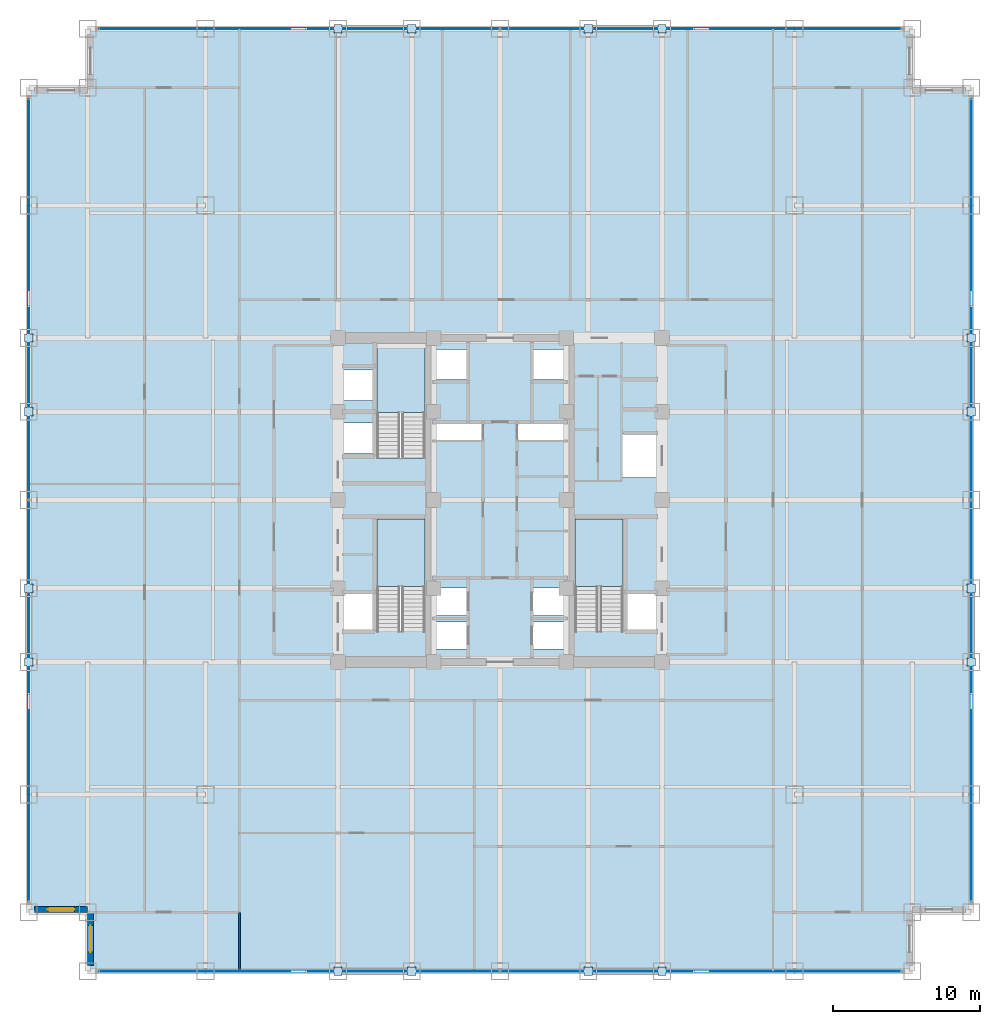
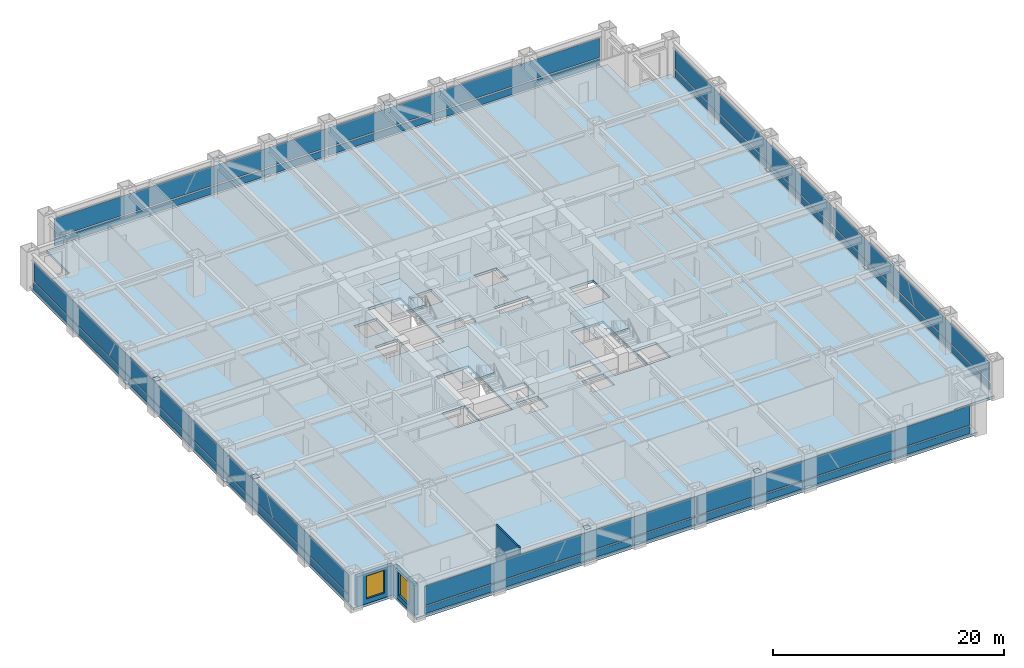
# One storey, part 22 of 27: 32 plates, 4 slabs, 3 walls, 2 windows, 2 openings, 7 elements without a shape of their own.
"""IFC4 building model written with IfcOpenShell, lengths in metres."""

from ifc_helpers import new_model, si_unit, direction, frame, frame_2d, origin, origin_2d, place, context, subcontext, project, spatial, polyline, rectangle, outline, extrude, source, transform, mapped, material, layer, layer_set, type_object, element, fill, aggregate, save


model = new_model("IFC4")

# Units and contexts
model_context = context("Model", 3, precision=1e-05, world=origin(), true_north=direction((0.0, 1.0)))
body_context = subcontext(model_context, "Body", "Model", "MODEL_VIEW")
ifc_project = project(units=[si_unit("LENGTHUNIT", "METRE"), si_unit("AREAUNIT", "SQUARE_METRE"), si_unit("VOLUMEUNIT", "CUBIC_METRE"), si_unit("PLANEANGLEUNIT", "RADIAN"), si_unit("MASSUNIT", "GRAM", prefix="KILO")], contexts=[model_context])

# Site, building, storey
site_placement = place(None, origin())
site = spatial("IfcSite", under=ifc_project, at=site_placement, CompositionType="ELEMENT")
building_placement = place(site_placement, origin())
building = spatial("IfcBuilding", under=site, at=building_placement, Name="Khorayat Bourse Tower", CompositionType="ELEMENT")
storey_placement = place(building_placement, frame((0.0, 0.0, 140.60009765625)))
storey = spatial("IfcBuildingStorey", under=building, at=storey_placement, Name="L32", CompositionType="ELEMENT", Elevation=140.60009765625)

# Stair, slab
ifc_material_1 = material(Name="Concrete C40/50", Category="concrete")
stair_type = type_object("IfcStairType", Name="STR-CORE-1550", PredefinedType="HALF_TURN_STAIR", material=ifc_material_1)
stair_1_placement = place(storey_placement, origin())
stair_1 = element("IfcStair", 1, at=stair_1_placement, inside=storey, type_object=stair_type, Name="L32 Exit Stair ST-1", PredefinedType="HALF_TURN_STAIR")
ifc_layer_1 = layer(ifc_material_1, 0.199951171875)
ifc_layer_set_1 = layer_set([ifc_layer_1], Name="Concrete C40/50")
slab_type_1 = type_object("IfcSlabType", Name="SLB-LANDING-200", PredefinedType="LANDING", material=ifc_layer_set_1)
slab_1_placement = place(storey_placement, frame((0.0, 0.0, 1.849853515625)))
slab_1 = element("IfcSlab", 2, at=slab_1_placement, type_object=slab_type_1, Name="ST-1 landing 1", PredefinedType="LANDING", context=body_context, shape_type="SweptSolid", body=[
    extrude(outline(polyline([(-5.10009765625, -5.8701171875), (-5.10009765625, -1.300048828125), (-8.35009765625, -1.300048828125), (-8.35009765625, -5.8701171875), (-5.10009765625, -5.8701171875)])), origin(), (0.0, 0.0, 1.0), 0.199951171875),
])
aggregate(stair_1, [slab_1])

stair_2_placement = place(storey_placement, origin())
stair_2 = element("IfcStair", 3, at=stair_2_placement, inside=storey, type_object=stair_type, Name="L32 Exit Stair ST-2", PredefinedType="HALF_TURN_STAIR")
slab_2_placement = place(storey_placement, frame((0.0, 0.0, 1.849853515625)))
slab_2 = element("IfcSlab", 4, at=slab_2_placement, type_object=slab_type_1, Name="ST-2 landing 1", PredefinedType="LANDING", context=body_context, shape_type="SweptSolid", body=[
    extrude(outline(polyline([(-5.10009765625, 5.929931640625), (-5.10009765625, 10.5), (-8.35009765625, 10.5), (-8.35009765625, 5.929931640625), (-5.10009765625, 5.929931640625)])), origin(), (0.0, 0.0, 1.0), 0.199951171875),
])
aggregate(stair_2, [slab_2])

stair_3_placement = place(storey_placement, origin())
stair_3 = element("IfcStair", 5, at=stair_3_placement, inside=storey, type_object=stair_type, Name="L32 Exit Stair ST-3", PredefinedType="HALF_TURN_STAIR")
slab_3_placement = place(storey_placement, frame((0.0, 0.0, 1.849853515625)))
slab_3 = element("IfcSlab", 6, at=slab_3_placement, type_object=slab_type_1, Name="ST-3 landing 1", PredefinedType="LANDING", context=body_context, shape_type="SweptSolid", body=[
    extrude(outline(polyline([(8.35009765625, -5.8701171875), (8.35009765625, -1.300048828125), (5.10009765625, -1.300048828125), (5.10009765625, -5.8701171875), (8.35009765625, -5.8701171875)])), origin(), (0.0, 0.0, 1.0), 0.199951171875),
])
aggregate(stair_3, [slab_3])

# Slab
ifc_layer_2 = layer(ifc_material_1, 0.260009765625)
ifc_layer_set_2 = layer_set([ifc_layer_2], Name="Concrete C40/50")
slab_type_2 = type_object("IfcSlabType", Name="SLB-TRADE-260", PredefinedType="FLOOR", material=ifc_layer_set_2)
slab_4_placement = place(storey_placement, frame((0.0, 0.0, -0.260009765625)))
element("IfcSlab", 7, at=slab_4_placement, inside=storey, type_object=slab_type_2, Name="L32 Main Floor Slab", PredefinedType="FLOOR", context=body_context, shape_type="SweptSolid", body=[
    extrude(outline(polyline([(-28.0, -32.0), (28.0, -32.0), (28.0, -28.0), (32.0, -28.0), (32.0, 28.0), (28.0, 28.0), (28.0, 32.0), (-28.0, 32.0), (-28.0, 28.0), (-32.0, 28.0), (-32.0, -28.0), (-28.0, -28.0), (-28.0, -32.0)]), holes=[polyline([(-8.35009765625, -8.945068359375), (-5.10009765625, -8.945068359375), (-5.10009765625, -1.300048828125), (-8.35009765625, -1.300048828125), (-8.35009765625, -8.945068359375)]), polyline([(-8.35009765625, 2.85498046875), (-5.10009765625, 2.85498046875), (-5.10009765625, 10.5), (-8.35009765625, 10.5), (-8.35009765625, 2.85498046875)]), polyline([(5.10009765625, -8.945068359375), (8.35009765625, -8.945068359375), (8.35009765625, -1.300048828125), (5.10009765625, -1.300048828125), (5.10009765625, -8.945068359375)]), polyline([(-4.3798828125, -10.1298828125), (-2.219970703125, -10.1298828125), (-2.219970703125, -8.27001953125), (-4.3798828125, -8.27001953125), (-4.3798828125, -10.1298828125)]), polyline([(2.219970703125, -10.1298828125), (4.3798828125, -10.1298828125), (4.3798828125, -8.27001953125), (2.219970703125, -8.27001953125), (2.219970703125, -10.1298828125)]), polyline([(-4.3798828125, -7.830078125), (-2.219970703125, -7.830078125), (-2.219970703125, -5.969970703125), (-4.3798828125, -5.969970703125), (-4.3798828125, -7.830078125)]), polyline([(2.219970703125, -7.830078125), (4.3798828125, -7.830078125), (4.3798828125, -5.969970703125), (2.219970703125, -5.969970703125), (2.219970703125, -7.830078125)]), polyline([(-4.3798828125, 8.169921875), (-2.1201171875, 8.169921875), (-2.1201171875, 10.22998046875), (-4.3798828125, 10.22998046875), (-4.3798828125, 8.169921875)]), polyline([(2.1201171875, 8.169921875), (4.3798828125, 8.169921875), (4.3798828125, 10.22998046875), (2.1201171875, 10.22998046875), (2.1201171875, 8.169921875)]), polyline([(-10.679931640625, 3.169921875), (-8.419921875, 3.169921875), (-8.419921875, 5.22998046875), (-10.679931640625, 5.22998046875), (-10.679931640625, 3.169921875)]), polyline([(-10.679931640625, 6.77001953125), (-8.419921875, 6.77001953125), (-8.419921875, 8.830078125), (-10.679931640625, 8.830078125), (-10.679931640625, 6.77001953125)]), polyline([(-10.679931640625, -8.929931640625), (-8.419921875, -8.929931640625), (-8.419921875, -6.3701171875), (-10.679931640625, -6.3701171875), (-10.679931640625, -8.929931640625)]), polyline([(8.419921875, -8.929931640625), (10.679931640625, -8.929931640625), (10.679931640625, -6.3701171875), (8.419921875, -6.3701171875), (8.419921875, -8.929931640625)]), polyline([(8.320068359375, 1.52001953125), (10.679931640625, 1.52001953125), (10.679931640625, 4.47998046875), (8.320068359375, 4.47998046875), (8.320068359375, 1.52001953125)]), polyline([(-4.56005859375, 4.080078125), (-1.18994140625, 4.080078125), (-1.18994140625, 5.219970703125), (-4.56005859375, 5.219970703125), (-4.56005859375, 4.080078125)]), polyline([(1.18994140625, 4.080078125), (4.56005859375, 4.080078125), (4.56005859375, 5.219970703125), (1.18994140625, 5.219970703125), (1.18994140625, 4.080078125)])]), origin(), (0.0, 0.0, 1.0), 0.260009765625),
])

# Plates
ifc_material_2 = material(Name="Steel EN 10025-2 S355J2", Category="steel")
ifc_layer_3 = layer(ifc_material_2, 0.02490234375)
ifc_layer_set_3 = layer_set([ifc_layer_3], Name="Steel EN 10025-2 S355J2")
plate_type_1 = type_object("IfcPlateType", Name="PLT-ENDCAP-25", PredefinedType="SHEET", material=ifc_layer_set_3)
shared_shape_1 = source(origin(), body_context, "Body", "SweptSolid", [
    extrude(rectangle(XDim=0.56005859375, YDim=0.56005859375, at=origin_2d()), origin(), (0.0, 0.0, 1.0), 0.02490234375),
])
for number, where, z_axis, x_axis, name in (
    (8, (-11.0, -32.0, 3.577392578125), (0.0, 0.0, 1.0), (1.0, 0.0, 0.0), "L32 Perimeter Brace End Plate 001"),
    (9, (-6.0, -32.0, 0.237548828125), (0.0, 0.0, 1.0), (1.0, 0.0, 0.0), "L32 Perimeter Brace End Plate 002"),
    (10, (6.0, -32.0, 3.577392578125), (0.0, 0.0, 1.0), (1.0, 0.0, 0.0), "L32 Perimeter Brace End Plate 003"),
    (11, (11.0, -32.0, 0.237548828125), (0.0, 0.0, 1.0), (1.0, 0.0, 0.0), "L32 Perimeter Brace End Plate 004"),
    (12, (-11.0, 32.0, 3.577392578125), (0.0, 0.0, 1.0), (1.0, 0.0, 0.0), "L32 Perimeter Brace End Plate 005"),
    (13, (-6.0, 32.0, 0.237548828125), (0.0, 0.0, 1.0), (1.0, 0.0, 0.0), "L32 Perimeter Brace End Plate 006"),
    (14, (6.0, 32.0, 3.577392578125), (0.0, 0.0, 1.0), (1.0, 0.0, 0.0), "L32 Perimeter Brace End Plate 007"),
    (15, (11.0, 32.0, 0.237548828125), (0.0, 0.0, 1.0), (1.0, 0.0, 0.0), "L32 Perimeter Brace End Plate 008"),
    (16, (-32.0, -11.0, 3.577392578125), (0.0, 0.0, 1.0), (1.0, 0.0, 0.0), "L32 Perimeter Brace End Plate 009"),
    (17, (-32.0, -6.0, 0.237548828125), (0.0, 0.0, 1.0), (1.0, 0.0, 0.0), "L32 Perimeter Brace End Plate 010"),
    (18, (-32.0, 6.0, 3.577392578125), (0.0, 0.0, 1.0), (1.0, 0.0, 0.0), "L32 Perimeter Brace End Plate 011"),
    (19, (-32.0, 11.0, 0.237548828125), (0.0, 0.0, 1.0), (1.0, 0.0, 0.0), "L32 Perimeter Brace End Plate 012"),
    (20, (32.0, -11.0, 3.577392578125), (0.0, 0.0, 1.0), (1.0, 0.0, 0.0), "L32 Perimeter Brace End Plate 013"),
    (21, (32.0, -6.0, 0.237548828125), (0.0, 0.0, 1.0), (1.0, 0.0, 0.0), "L32 Perimeter Brace End Plate 014"),
    (22, (32.0, 6.0, 3.577392578125), (0.0, 0.0, 1.0), (1.0, 0.0, 0.0), "L32 Perimeter Brace End Plate 015"),
    (23, (32.0, 11.0, 0.237548828125), (0.0, 0.0, 1.0), (1.0, 0.0, 0.0), "L32 Perimeter Brace End Plate 016"),
):
    element("IfcPlate", number, at=place(storey_placement, frame(where, z_axis=z_axis, x_axis=x_axis)), inside=storey, type_object=plate_type_1, Name=name, PredefinedType="SHEET", context=body_context, shape_type="MappedRepresentation", body=[
        mapped(shared_shape_1, transform((0.0, 0.0, 0.0), scale=1.0)),
    ])

# Curtain wall, plates
ifc_material_3 = material(Name="Aluminium EN AW-6063 T6", Category="aluminium")
curtain_wall_type = type_object("IfcCurtainWallType", Name="CW-SYS-02", PredefinedType="NOTDEFINED", material=ifc_material_3)
curtain_wall_1_placement = place(storey_placement, origin())
curtain_wall_1 = element("IfcCurtainWall", 24, at=curtain_wall_1_placement, inside=storey, type_object=curtain_wall_type, Name="L32 Curtain Wall CW-L32-S1", PredefinedType="NOTDEFINED")
ifc_material_4 = material(Name="Honed desert limestone insulated spandrel", Category="masonry")
ifc_layer_4 = layer(ifc_material_4, 0.06494140625)
ifc_layer_set_4 = layer_set([ifc_layer_4], Name="Honed desert limestone insulated spandrel")
plate_type_2 = type_object("IfcPlateType", Name="CWP-SPAND-03", PredefinedType="CURTAIN_PANEL", material=ifc_layer_set_4)
shared_shape_2 = source(origin(), body_context, "Body", "SweptSolid", [
    extrude(rectangle(XDim=27.139892578125, YDim=0.06494140625, at=origin_2d()), origin(), (0.0, 0.0, 1.0), 0.739990234375),
])
plate_1_placement = place(storey_placement, frame((-13.639892578125, -32.0, 0.14013671875), z_axis=(0.0, 0.0, 1.0), x_axis=(1.0, 0.0, 0.0)))
plate_1 = element("IfcPlate", 25, at=plate_1_placement, type_object=plate_type_2, Name="CW-L32-S1 Spandrel Panel 1-1", PredefinedType="CURTAIN_PANEL", context=body_context, shape_type="MappedRepresentation", body=[
    mapped(shared_shape_2, transform((0.0, 0.0, 0.0), scale=1.0)),
])
plate_2_placement = place(storey_placement, frame((13.639892578125, -32.0, 0.14013671875), z_axis=(0.0, 0.0, 1.0), x_axis=(1.0, 0.0, 0.0)))
plate_2 = element("IfcPlate", 26, at=plate_2_placement, type_object=plate_type_2, Name="CW-L32-S1 Spandrel Panel 2-1", PredefinedType="CURTAIN_PANEL", context=body_context, shape_type="MappedRepresentation", body=[
    mapped(shared_shape_2, transform((0.0, 0.0, 0.0), scale=1.0)),
])

curtain_wall_2_placement = place(storey_placement, origin())
curtain_wall_2 = element("IfcCurtainWall", 27, at=curtain_wall_2_placement, inside=storey, type_object=curtain_wall_type, Name="L32 Curtain Wall CW-L32-N1", PredefinedType="NOTDEFINED")
plate_3_placement = place(storey_placement, frame((-13.639892578125, 32.0, 0.14013671875), z_axis=(0.0, 0.0, 1.0), x_axis=(1.0, 0.0, 0.0)))
plate_3 = element("IfcPlate", 28, at=plate_3_placement, type_object=plate_type_2, Name="CW-L32-N1 Spandrel Panel 1-1", PredefinedType="CURTAIN_PANEL", context=body_context, shape_type="MappedRepresentation", body=[
    mapped(shared_shape_2, transform((0.0, 0.0, 0.0), scale=1.0)),
])
plate_4_placement = place(storey_placement, frame((13.639892578125, 32.0, 0.14013671875), z_axis=(0.0, 0.0, 1.0), x_axis=(1.0, 0.0, 0.0)))
plate_4 = element("IfcPlate", 29, at=plate_4_placement, type_object=plate_type_2, Name="CW-L32-N1 Spandrel Panel 2-1", PredefinedType="CURTAIN_PANEL", context=body_context, shape_type="MappedRepresentation", body=[
    mapped(shared_shape_2, transform((0.0, 0.0, 0.0), scale=1.0)),
])

curtain_wall_3_placement = place(storey_placement, origin())
curtain_wall_3 = element("IfcCurtainWall", 30, at=curtain_wall_3_placement, inside=storey, type_object=curtain_wall_type, Name="L32 Curtain Wall CW-L32-W1", PredefinedType="NOTDEFINED")
plate_5_placement = place(storey_placement, frame((-32.0, -13.639892578125, 0.14013671875), z_axis=(0.0, 0.0, 1.0), x_axis=(0.0, 1.0, 0.0)))
plate_5 = element("IfcPlate", 31, at=plate_5_placement, type_object=plate_type_2, Name="CW-L32-W1 Spandrel Panel 1-1", PredefinedType="CURTAIN_PANEL", context=body_context, shape_type="MappedRepresentation", body=[
    mapped(shared_shape_2, transform((0.0, 0.0, 0.0), scale=1.0)),
])
plate_6_placement = place(storey_placement, frame((-32.0, 13.639892578125, 0.14013671875), z_axis=(0.0, 0.0, 1.0), x_axis=(0.0, 1.0, 0.0)))
plate_6 = element("IfcPlate", 32, at=plate_6_placement, type_object=plate_type_2, Name="CW-L32-W1 Spandrel Panel 2-1", PredefinedType="CURTAIN_PANEL", context=body_context, shape_type="MappedRepresentation", body=[
    mapped(shared_shape_2, transform((0.0, 0.0, 0.0), scale=1.0)),
])

curtain_wall_4_placement = place(storey_placement, origin())
curtain_wall_4 = element("IfcCurtainWall", 33, at=curtain_wall_4_placement, inside=storey, type_object=curtain_wall_type, Name="L32 Curtain Wall CW-L32-E1", PredefinedType="NOTDEFINED")
plate_7_placement = place(storey_placement, frame((32.0, -13.639892578125, 0.14013671875), z_axis=(0.0, 0.0, 1.0), x_axis=(0.0, 1.0, 0.0)))
plate_7 = element("IfcPlate", 34, at=plate_7_placement, type_object=plate_type_2, Name="CW-L32-E1 Spandrel Panel 1-1", PredefinedType="CURTAIN_PANEL", context=body_context, shape_type="MappedRepresentation", body=[
    mapped(shared_shape_2, transform((0.0, 0.0, 0.0), scale=1.0)),
])
plate_8_placement = place(storey_placement, frame((32.0, 13.639892578125, 0.14013671875), z_axis=(0.0, 0.0, 1.0), x_axis=(0.0, 1.0, 0.0)))
plate_8 = element("IfcPlate", 35, at=plate_8_placement, type_object=plate_type_2, Name="CW-L32-E1 Spandrel Panel 2-1", PredefinedType="CURTAIN_PANEL", context=body_context, shape_type="MappedRepresentation", body=[
    mapped(shared_shape_2, transform((0.0, 0.0, 0.0), scale=1.0)),
])

# Plate
ifc_material_5 = material(Name="Low-E solar-control laminated double glazing", Category="glass")
ifc_layer_5 = layer(ifc_material_5, 0.0419921875)
ifc_layer_set_5 = layer_set([ifc_layer_5], Name="Low-E solar-control laminated double glazing")
plate_type_3 = type_object("IfcPlateType", Name="CWP-FACET-02", PredefinedType="CURTAIN_PANEL", material=ifc_layer_set_5)
shared_shape_3 = source(origin(), body_context, "Body", "SweptSolid", [
    extrude(rectangle(XDim=27.139892578125, YDim=0.0419921875, at=origin_2d()), origin(), (0.0, 0.0, 1.0), 2.030029296875),
])
plate_9_placement = place(storey_placement, frame((-13.639892578125, -32.0, 1.02001953125), z_axis=(0.0, 0.0, 1.0), x_axis=(1.0, 0.0, 0.0)))
plate_9 = element("IfcPlate", 36, at=plate_9_placement, type_object=plate_type_3, Name="CW-L32-S1 Vision Panel 1-2", PredefinedType="CURTAIN_PANEL", context=body_context, shape_type="MappedRepresentation", body=[
    mapped(shared_shape_3, transform((0.0, 0.0, 0.0), scale=1.0)),
])

plate_10_placement = place(storey_placement, frame((13.639892578125, -32.0, 1.02001953125), z_axis=(0.0, 0.0, 1.0), x_axis=(1.0, 0.0, 0.0)))
plate_10 = element("IfcPlate", 37, at=plate_10_placement, type_object=plate_type_3, Name="CW-L32-S1 Vision Panel 2-2", PredefinedType="CURTAIN_PANEL", context=body_context, shape_type="MappedRepresentation", body=[
    mapped(shared_shape_3, transform((0.0, 0.0, 0.0), scale=1.0)),
])

aggregate(curtain_wall_1, [plate_1, plate_9, plate_2, plate_10])

plate_11_placement = place(storey_placement, frame((-13.639892578125, 32.0, 1.02001953125), z_axis=(0.0, 0.0, 1.0), x_axis=(1.0, 0.0, 0.0)))
plate_11 = element("IfcPlate", 38, at=plate_11_placement, type_object=plate_type_3, Name="CW-L32-N1 Vision Panel 1-2", PredefinedType="CURTAIN_PANEL", context=body_context, shape_type="MappedRepresentation", body=[
    mapped(shared_shape_3, transform((0.0, 0.0, 0.0), scale=1.0)),
])

plate_12_placement = place(storey_placement, frame((13.639892578125, 32.0, 1.02001953125), z_axis=(0.0, 0.0, 1.0), x_axis=(1.0, 0.0, 0.0)))
plate_12 = element("IfcPlate", 39, at=plate_12_placement, type_object=plate_type_3, Name="CW-L32-N1 Vision Panel 2-2", PredefinedType="CURTAIN_PANEL", context=body_context, shape_type="MappedRepresentation", body=[
    mapped(shared_shape_3, transform((0.0, 0.0, 0.0), scale=1.0)),
])

aggregate(curtain_wall_2, [plate_3, plate_11, plate_4, plate_12])

plate_13_placement = place(storey_placement, frame((-32.0, -13.639892578125, 1.02001953125), z_axis=(0.0, 0.0, 1.0), x_axis=(0.0, 1.0, 0.0)))
plate_13 = element("IfcPlate", 40, at=plate_13_placement, type_object=plate_type_3, Name="CW-L32-W1 Vision Panel 1-2", PredefinedType="CURTAIN_PANEL", context=body_context, shape_type="MappedRepresentation", body=[
    mapped(shared_shape_3, transform((0.0, 0.0, 0.0), scale=1.0)),
])

plate_14_placement = place(storey_placement, frame((-32.0, 13.639892578125, 1.02001953125), z_axis=(0.0, 0.0, 1.0), x_axis=(0.0, 1.0, 0.0)))
plate_14 = element("IfcPlate", 41, at=plate_14_placement, type_object=plate_type_3, Name="CW-L32-W1 Vision Panel 2-2", PredefinedType="CURTAIN_PANEL", context=body_context, shape_type="MappedRepresentation", body=[
    mapped(shared_shape_3, transform((0.0, 0.0, 0.0), scale=1.0)),
])

aggregate(curtain_wall_3, [plate_5, plate_13, plate_6, plate_14])

plate_15_placement = place(storey_placement, frame((32.0, -13.639892578125, 1.02001953125), z_axis=(0.0, 0.0, 1.0), x_axis=(0.0, 1.0, 0.0)))
plate_15 = element("IfcPlate", 42, at=plate_15_placement, type_object=plate_type_3, Name="CW-L32-E1 Vision Panel 1-2", PredefinedType="CURTAIN_PANEL", context=body_context, shape_type="MappedRepresentation", body=[
    mapped(shared_shape_3, transform((0.0, 0.0, 0.0), scale=1.0)),
])

plate_16_placement = place(storey_placement, frame((32.0, 13.639892578125, 1.02001953125), z_axis=(0.0, 0.0, 1.0), x_axis=(0.0, 1.0, 0.0)))
plate_16 = element("IfcPlate", 43, at=plate_16_placement, type_object=plate_type_3, Name="CW-L32-E1 Vision Panel 2-2", PredefinedType="CURTAIN_PANEL", context=body_context, shape_type="MappedRepresentation", body=[
    mapped(shared_shape_3, transform((0.0, 0.0, 0.0), scale=1.0)),
])

aggregate(curtain_wall_4, [plate_7, plate_15, plate_8, plate_16])

# Wall, opening, window
ifc_material_6 = material(Name="Precast concrete C45/55", Category="concrete")
ifc_layer_6 = layer(ifc_material_6, 0.3798828125)
ifc_layer_set_6 = layer_set([ifc_layer_6], Name="Precast concrete C45/55")
wall_type_1 = type_object("IfcWallType", Name="WAL-EXT-STONE-380", PredefinedType="STANDARD", material=ifc_layer_set_6)
shared_shape_4 = source(origin(), body_context, "Body", "SweptSolid", [
    extrude(rectangle(XDim=3.6201171875, YDim=0.3798828125, at=frame_2d((1.81005859375, 0.0))), origin(), (0.0, 0.0, 1.0), 3.14501953125),
])
wall_1_placement = place(storey_placement, frame((-28.0, -27.81005859375, 0.0), z_axis=(0.0, 0.0, 1.0), x_axis=(-1.0, 0.0, 0.0)))
wall_1 = element("IfcWall", 44, at=wall_1_placement, inside=storey, type_object=wall_type_1, Name="L32 Re-Entrant Notch Limestone Wall SW-H", PredefinedType="STANDARD", context=body_context, shape_type="MappedRepresentation", body=[
    mapped(shared_shape_4, transform((0.0, 0.0, 0.0), scale=1.0)),
])
shared_shape_5 = source(origin(), body_context, "Body", "SweptSolid", [
    extrude(rectangle(XDim=1.800048828125, YDim=2.39990234375, at=frame_2d((0.89990234375, 1.199951171875))), frame((0.0, 0.199951171875, 0.0), z_axis=(0.0, -1.0, 0.0), x_axis=(1.0, 0.0, 0.0)), (0.0, 0.0, 1.0), 0.39990234375),
])
opening_1_placement = place(wall_1_placement, frame((0.909912109375, 0.0, 0.5)))
opening_1 = element("IfcOpeningElement", 45, at=opening_1_placement, cuts=wall_1, Name="Opening WN-04", PredefinedType="OPENING", context=body_context, shape_type="MappedRepresentation", body=[
    mapped(shared_shape_5, transform((0.0, 0.0, 0.0), scale=1.0)),
])
ifc_material_7 = material(Name="Low-E acoustic laminated double glazing", Category="glass")
window_type = type_object("IfcWindowType", Name="WIN-NOTCH-1800x2400", PartitioningType="SINGLE_PANEL", PredefinedType="WINDOW", material=ifc_material_7)
shared_shape_6 = source(origin(), body_context, "Body", "SweptSolid", [
    extrude(rectangle(XDim=1.800048828125, YDim=2.39990234375, at=frame_2d((0.89990234375, 1.199951171875))), frame((0.0, 0.030029296875, 0.0), z_axis=(0.0, -1.0, 0.0), x_axis=(1.0, 0.0, 0.0)), (0.0, 0.0, 1.0), 0.06005859375),
])
window_1_placement = place(opening_1_placement, origin())
window_1 = element("IfcWindow", 46, at=window_1_placement, inside=storey, type_object=window_type, Name="L32 Facade Window 1", OverallHeight=2.39990234375, OverallWidth=1.800048828125, PartitioningType="SINGLE_PANEL", PredefinedType="WINDOW", context=body_context, shape_type="MappedRepresentation", body=[
    mapped(shared_shape_6, transform((0.0, 0.0, 0.0), scale=1.0)),
])
fill(opening_1, window_1)

wall_2_placement = place(storey_placement, frame((-27.81005859375, -31.6201171875, 0.0), z_axis=(0.0, 0.0, 1.0), x_axis=(0.0, 1.0, 0.0)))
wall_2 = element("IfcWall", 47, at=wall_2_placement, inside=storey, type_object=wall_type_1, Name="L32 Re-Entrant Notch Limestone Wall SW-V", PredefinedType="STANDARD", context=body_context, shape_type="MappedRepresentation", body=[
    mapped(shared_shape_4, transform((0.0, 0.0, 0.0), scale=1.0)),
])
opening_2_placement = place(wall_2_placement, frame((0.909912109375, 0.0, 0.5)))
opening_2 = element("IfcOpeningElement", 48, at=opening_2_placement, cuts=wall_2, Name="Opening WN-04", PredefinedType="OPENING", context=body_context, shape_type="MappedRepresentation", body=[
    mapped(shared_shape_5, transform((0.0, 0.0, 0.0), scale=1.0)),
])
window_2_placement = place(opening_2_placement, origin())
window_2 = element("IfcWindow", 49, at=window_2_placement, inside=storey, type_object=window_type, Name="L32 Facade Window 1", OverallHeight=2.39990234375, OverallWidth=1.800048828125, PartitioningType="SINGLE_PANEL", PredefinedType="WINDOW", context=body_context, shape_type="MappedRepresentation", body=[
    mapped(shared_shape_6, transform((0.0, 0.0, 0.0), scale=1.0)),
])
fill(opening_2, window_2)

# Wall
ifc_material_8 = material(Name="Gypsum plasterboard twin-frame partition")
ifc_layer_7 = layer(ifc_material_8, 0.14990234375)
ifc_layer_set_7 = layer_set([ifc_layer_7], Name="Gypsum plasterboard twin-frame partition")
wall_type_2 = type_object("IfcWallType", Name="WAL-PART-SUITE-150", PredefinedType="PARTITIONING", material=ifc_layer_set_7)
shared_shape_7 = source(origin(), body_context, "Body", "SweptSolid", [
    extrude(rectangle(XDim=4.0, YDim=0.14990234375, at=frame_2d((2.0, 0.0))), origin(), (0.0, 0.0, 1.0), 3.83984375),
])
wall_3_placement = place(storey_placement, frame((-17.699951171875, -32.0, 0.0), z_axis=(0.0, 0.0, 1.0), x_axis=(0.0, 1.0, 0.0)))
element("IfcWall", 50, at=wall_3_placement, inside=storey, type_object=wall_type_2, Name="L32 Partition WAL-L32-SCW-END", PredefinedType="PARTITIONING", context=body_context, shape_type="MappedRepresentation", body=[
    mapped(shared_shape_7, transform((0.0, 0.0, 0.0), scale=1.0)),
])

save(model, "model.ifc")
